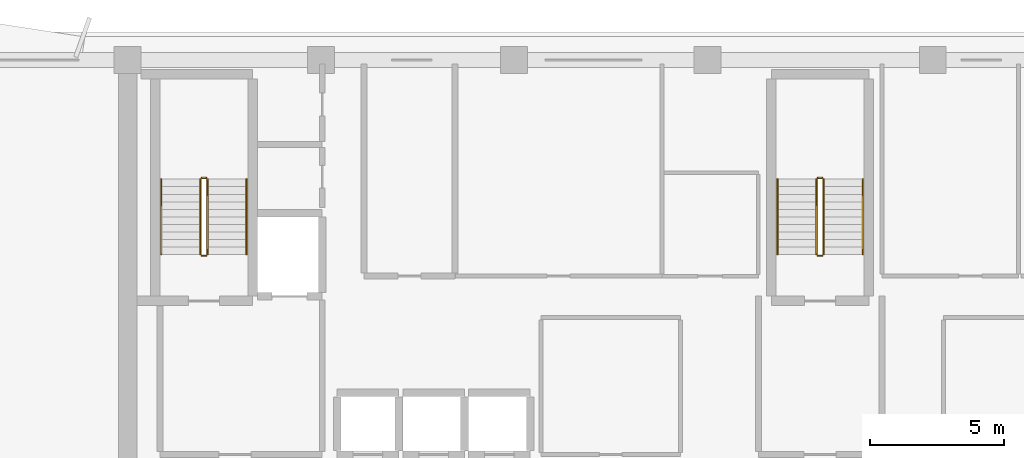
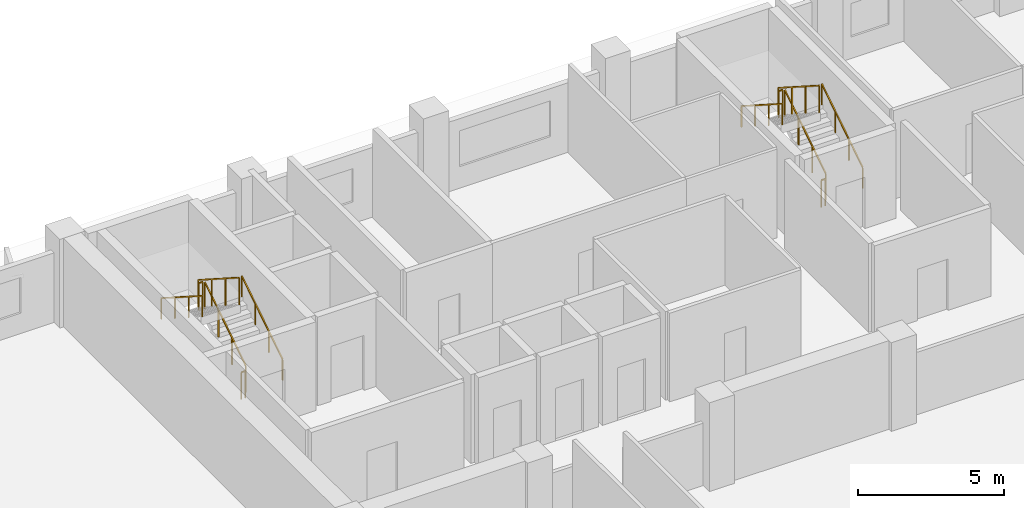
# One storey, part 10 of 11: 12 railings.
"""IFC4 building model written with IfcOpenShell, lengths in metres."""

from ifc_helpers import new_model, si_unit, direction, frame, origin, origin_2d, place, context, subcontext, project, spatial, rectangle, extrude, material, type_object, element, save


model = new_model("IFC4")

# Units and contexts
model_context = context("Model", 3, precision=1e-05, world=origin(), true_north=direction((0.0, 1.0)))
body_context = subcontext(model_context, "Body", "Model", "MODEL_VIEW")
ifc_project = project(units=[si_unit("LENGTHUNIT", "METRE"), si_unit("AREAUNIT", "SQUARE_METRE"), si_unit("VOLUMEUNIT", "CUBIC_METRE"), si_unit("PLANEANGLEUNIT", "RADIAN"), si_unit("MASSUNIT", "GRAM", prefix="KILO")], contexts=[model_context])

# Site, building, storey
site_placement = place(None, origin())
site = spatial("IfcSite", under=ifc_project, at=site_placement, CompositionType="ELEMENT")
building_placement = place(site_placement, origin())
building = spatial("IfcBuilding", under=site, at=building_placement, Name="Kaelvorn Grand Hotel", CompositionType="ELEMENT")
storey_placement = place(building_placement, frame((0.0, 0.0, 233.10009765625)))
storey = spatial("IfcBuildingStorey", under=building, at=storey_placement, Name="L57", CompositionType="ELEMENT", Elevation=233.10009765625)

# Railings
ifc_material = material(Name="Stainless Steel", Category="steel")
railing_type_1 = type_object("IfcRailingType", Name="RL-HANDRAIL-900", PredefinedType="HANDRAIL", material=ifc_material)
railing_1_placement = place(storey_placement, frame((20.6298828125, 41.760009765625, 0.179443359375)))
element("IfcRailing", 1, at=railing_1_placement, inside=storey, type_object=railing_type_1, Name="L57 ST1 stair handrail 1", PredefinedType="HANDRAIL", context=body_context, shape_type="SweptSolid", body=[
    extrude(rectangle(XDim=0.048095703125, YDim=0.048095703125, at=origin_2d()), frame((0.0, 0.0, 0.8759765625), z_axis=(0.0, 0.841809871826, 0.539774156196), x_axis=(-1.0, 0.0, 0.0)), (0.0, 0.0, 1.0), 3.326171875),
    extrude(rectangle(XDim=0.0419921875, YDim=0.0419921875, at=origin_2d()), origin(), (0.0, 0.0, 1.0), 0.851806640625),
    extrude(rectangle(XDim=0.0419921875, YDim=0.0419921875, at=origin_2d()), frame((0.0, 0.933349609375, 0.598388671875)), (0.0, 0.0, 1.0), 0.851806640625),
    extrude(rectangle(XDim=0.0419921875, YDim=0.0419921875, at=origin_2d()), frame((0.0, 1.86669921875, 1.197021484375)), (0.0, 0.0, 1.0), 0.851806640625),
    extrude(rectangle(XDim=0.0419921875, YDim=0.0419921875, at=origin_2d()), frame((0.0, 2.800048828125, 1.79541015625)), (0.0, 0.0, 1.0), 0.851806640625),
])
railing_2_placement = place(storey_placement, frame((17.449951171875, 44.56005859375, 2.154541015625)))
element("IfcRailing", 2, at=railing_2_placement, inside=storey, type_object=railing_type_1, Name="L57 ST1 stair handrail 2", PredefinedType="HANDRAIL", context=body_context, shape_type="SweptSolid", body=[
    extrude(rectangle(XDim=0.048095703125, YDim=0.048095703125, at=origin_2d()), frame((0.0, 0.0, 0.8759765625), z_axis=(0.0, -0.841809871826, 0.539774156196), x_axis=(1.0, 0.0, 0.0)), (0.0, 0.0, 1.0), 3.326171875),
    extrude(rectangle(XDim=0.0419921875, YDim=0.0419921875, at=origin_2d()), origin(), (0.0, 0.0, 1.0), 0.851806640625),
    extrude(rectangle(XDim=0.0419921875, YDim=0.0419921875, at=origin_2d()), frame((0.0, -0.933349609375, 0.598388671875)), (0.0, 0.0, 1.0), 0.851806640625),
    extrude(rectangle(XDim=0.0419921875, YDim=0.0419921875, at=origin_2d()), frame((0.0, -1.86669921875, 1.197021484375)), (0.0, 0.0, 1.0), 0.851806640625),
    extrude(rectangle(XDim=0.0419921875, YDim=0.0419921875, at=origin_2d()), frame((0.0, -2.800048828125, 1.79541015625)), (0.0, 0.0, 1.0), 0.851806640625),
])
railing_3_placement = place(storey_placement, frame((43.590087890625, 41.760009765625, 0.179443359375)))
element("IfcRailing", 3, at=railing_3_placement, inside=storey, type_object=railing_type_1, Name="L57 ST2 stair handrail 1", PredefinedType="HANDRAIL", context=body_context, shape_type="SweptSolid", body=[
    extrude(rectangle(XDim=0.048095703125, YDim=0.048095703125, at=origin_2d()), frame((0.0, 0.0, 0.8759765625), z_axis=(0.0, 0.841809871826, 0.539774156196), x_axis=(-1.0, 0.0, 0.0)), (0.0, 0.0, 1.0), 3.326171875),
    extrude(rectangle(XDim=0.0419921875, YDim=0.0419921875, at=origin_2d()), origin(), (0.0, 0.0, 1.0), 0.851806640625),
    extrude(rectangle(XDim=0.0419921875, YDim=0.0419921875, at=origin_2d()), frame((0.0, 0.933349609375, 0.598388671875)), (0.0, 0.0, 1.0), 0.851806640625),
    extrude(rectangle(XDim=0.0419921875, YDim=0.0419921875, at=origin_2d()), frame((0.0, 1.86669921875, 1.197021484375)), (0.0, 0.0, 1.0), 0.851806640625),
    extrude(rectangle(XDim=0.0419921875, YDim=0.0419921875, at=origin_2d()), frame((0.0, 2.800048828125, 1.79541015625)), (0.0, 0.0, 1.0), 0.851806640625),
])
railing_4_placement = place(storey_placement, frame((40.409912109375, 44.56005859375, 2.154541015625)))
element("IfcRailing", 4, at=railing_4_placement, inside=storey, type_object=railing_type_1, Name="L57 ST2 stair handrail 2", PredefinedType="HANDRAIL", context=body_context, shape_type="SweptSolid", body=[
    extrude(rectangle(XDim=0.048095703125, YDim=0.048095703125, at=origin_2d()), frame((0.0, 0.0, 0.8759765625), z_axis=(0.0, -0.841809871826, 0.539774156196), x_axis=(1.0, 0.0, 0.0)), (0.0, 0.0, 1.0), 3.326171875),
    extrude(rectangle(XDim=0.0419921875, YDim=0.0419921875, at=origin_2d()), origin(), (0.0, 0.0, 1.0), 0.851806640625),
    extrude(rectangle(XDim=0.0419921875, YDim=0.0419921875, at=origin_2d()), frame((0.0, -0.933349609375, 0.598388671875)), (0.0, 0.0, 1.0), 0.851806640625),
    extrude(rectangle(XDim=0.0419921875, YDim=0.0419921875, at=origin_2d()), frame((0.0, -1.86669921875, 1.197021484375)), (0.0, 0.0, 1.0), 0.851806640625),
    extrude(rectangle(XDim=0.0419921875, YDim=0.0419921875, at=origin_2d()), frame((0.0, -2.800048828125, 1.79541015625)), (0.0, 0.0, 1.0), 0.851806640625),
])
railing_type_2 = type_object("IfcRailingType", Name="RL-STAIR-GUARD-1150", PredefinedType="BALUSTRADE", material=ifc_material)
railing_5_placement = place(storey_placement, frame((19.169921875, 41.760009765625, 0.179443359375)))
element("IfcRailing", 5, at=railing_5_placement, inside=storey, type_object=railing_type_2, Name="L57 ST1 stair guard 1", PredefinedType="BALUSTRADE", context=body_context, shape_type="SweptSolid", body=[
    extrude(rectangle(XDim=0.048095703125, YDim=0.048095703125, at=origin_2d()), frame((0.0, 0.0, 1.1259765625), z_axis=(0.0, 0.841809871826, 0.539774156196), x_axis=(-1.0, 0.0, 0.0)), (0.0, 0.0, 1.0), 3.326171875),
    extrude(rectangle(XDim=0.0419921875, YDim=0.0419921875, at=origin_2d()), origin(), (0.0, 0.0, 1.0), 1.101806640625),
    extrude(rectangle(XDim=0.0419921875, YDim=0.0419921875, at=origin_2d()), frame((0.0, 0.933349609375, 0.598388671875)), (0.0, 0.0, 1.0), 1.101806640625),
    extrude(rectangle(XDim=0.0419921875, YDim=0.0419921875, at=origin_2d()), frame((0.0, 1.86669921875, 1.197021484375)), (0.0, 0.0, 1.0), 1.101806640625),
    extrude(rectangle(XDim=0.0419921875, YDim=0.0419921875, at=origin_2d()), frame((0.0, 2.800048828125, 1.79541015625)), (0.0, 0.0, 1.0), 1.101806640625),
])
railing_6_placement = place(storey_placement, frame((19.1201171875, 44.610107421875, 1.974853515625)))
element("IfcRailing", 6, at=railing_6_placement, inside=storey, type_object=railing_type_2, Name="L57 ST1 stair guard 2", PredefinedType="BALUSTRADE", context=body_context, shape_type="SweptSolid", body=[
    extrude(rectangle(XDim=0.048095703125, YDim=0.048095703125, at=origin_2d()), frame((0.0, 0.0, 1.1259765625), z_axis=(-1.0, 0.0, 0.0), x_axis=(0.0, -1.0, 0.0)), (0.0, 0.0, 1.0), 0.16015625),
    extrude(rectangle(XDim=0.0419921875, YDim=0.0419921875, at=origin_2d()), origin(), (0.0, 0.0, 1.0), 1.101806640625),
    extrude(rectangle(XDim=0.0419921875, YDim=0.0419921875, at=origin_2d()), frame((-0.16015625, 0.0, 0.0)), (0.0, 0.0, 1.0), 1.101806640625),
])
railing_7_placement = place(storey_placement, frame((18.909912109375, 44.56005859375, 2.154541015625)))
element("IfcRailing", 7, at=railing_7_placement, inside=storey, type_object=railing_type_2, Name="L57 ST1 stair guard 3", PredefinedType="BALUSTRADE", context=body_context, shape_type="SweptSolid", body=[
    extrude(rectangle(XDim=0.048095703125, YDim=0.048095703125, at=origin_2d()), frame((0.0, 0.0, 1.1259765625), z_axis=(0.0, -0.841809871826, 0.539774156196), x_axis=(1.0, 0.0, 0.0)), (0.0, 0.0, 1.0), 3.326171875),
    extrude(rectangle(XDim=0.0419921875, YDim=0.0419921875, at=origin_2d()), origin(), (0.0, 0.0, 1.0), 1.101806640625),
    extrude(rectangle(XDim=0.0419921875, YDim=0.0419921875, at=origin_2d()), frame((0.0, -0.933349609375, 0.598388671875)), (0.0, 0.0, 1.0), 1.101806640625),
    extrude(rectangle(XDim=0.0419921875, YDim=0.0419921875, at=origin_2d()), frame((0.0, -1.86669921875, 1.197021484375)), (0.0, 0.0, 1.0), 1.101806640625),
    extrude(rectangle(XDim=0.0419921875, YDim=0.0419921875, at=origin_2d()), frame((0.0, -2.800048828125, 1.79541015625)), (0.0, 0.0, 1.0), 1.101806640625),
])
railing_8_placement = place(storey_placement, frame((19.1201171875, 41.7099609375, 0.0)))
element("IfcRailing", 8, at=railing_8_placement, inside=storey, type_object=railing_type_2, Name="L57 ST1 stair guard 4", PredefinedType="BALUSTRADE", context=body_context, shape_type="SweptSolid", body=[
    extrude(rectangle(XDim=0.048095703125, YDim=0.048095703125, at=origin_2d()), frame((0.0, 0.0, 1.1259765625), z_axis=(-1.0, 0.0, 0.0), x_axis=(0.0, -1.0, 0.0)), (0.0, 0.0, 1.0), 0.16015625),
    extrude(rectangle(XDim=0.0419921875, YDim=0.0419921875, at=origin_2d()), origin(), (0.0, 0.0, 1.0), 1.101806640625),
    extrude(rectangle(XDim=0.0419921875, YDim=0.0419921875, at=origin_2d()), frame((-0.16015625, 0.0, 0.0)), (0.0, 0.0, 1.0), 1.101806640625),
])
railing_9_placement = place(storey_placement, frame((42.1298828125, 41.760009765625, 0.179443359375)))
element("IfcRailing", 9, at=railing_9_placement, inside=storey, type_object=railing_type_2, Name="L57 ST2 stair guard 1", PredefinedType="BALUSTRADE", context=body_context, shape_type="SweptSolid", body=[
    extrude(rectangle(XDim=0.048095703125, YDim=0.048095703125, at=origin_2d()), frame((0.0, 0.0, 1.1259765625), z_axis=(0.0, 0.841809871826, 0.539774156196), x_axis=(-1.0, 0.0, 0.0)), (0.0, 0.0, 1.0), 3.326171875),
    extrude(rectangle(XDim=0.0419921875, YDim=0.0419921875, at=origin_2d()), origin(), (0.0, 0.0, 1.0), 1.101806640625),
    extrude(rectangle(XDim=0.0419921875, YDim=0.0419921875, at=origin_2d()), frame((0.0, 0.933349609375, 0.598388671875)), (0.0, 0.0, 1.0), 1.101806640625),
    extrude(rectangle(XDim=0.0419921875, YDim=0.0419921875, at=origin_2d()), frame((0.0, 1.86669921875, 1.197021484375)), (0.0, 0.0, 1.0), 1.101806640625),
    extrude(rectangle(XDim=0.0419921875, YDim=0.0419921875, at=origin_2d()), frame((0.0, 2.800048828125, 1.79541015625)), (0.0, 0.0, 1.0), 1.101806640625),
])
railing_10_placement = place(storey_placement, frame((42.080078125, 44.610107421875, 1.974853515625)))
element("IfcRailing", 10, at=railing_10_placement, inside=storey, type_object=railing_type_2, Name="L57 ST2 stair guard 2", PredefinedType="BALUSTRADE", context=body_context, shape_type="SweptSolid", body=[
    extrude(rectangle(XDim=0.048095703125, YDim=0.048095703125, at=origin_2d()), frame((0.0, 0.0, 1.1259765625), z_axis=(-1.0, 0.0, 0.0), x_axis=(0.0, -1.0, 0.0)), (0.0, 0.0, 1.0), 0.16015625),
    extrude(rectangle(XDim=0.0419921875, YDim=0.0419921875, at=origin_2d()), origin(), (0.0, 0.0, 1.0), 1.101806640625),
    extrude(rectangle(XDim=0.0419921875, YDim=0.0419921875, at=origin_2d()), frame((-0.16015625, 0.0, 0.0)), (0.0, 0.0, 1.0), 1.101806640625),
])
railing_11_placement = place(storey_placement, frame((41.8701171875, 44.56005859375, 2.154541015625)))
element("IfcRailing", 11, at=railing_11_placement, inside=storey, type_object=railing_type_2, Name="L57 ST2 stair guard 3", PredefinedType="BALUSTRADE", context=body_context, shape_type="SweptSolid", body=[
    extrude(rectangle(XDim=0.048095703125, YDim=0.048095703125, at=origin_2d()), frame((0.0, 0.0, 1.1259765625), z_axis=(0.0, -0.841809871826, 0.539774156196), x_axis=(1.0, 0.0, 0.0)), (0.0, 0.0, 1.0), 3.326171875),
    extrude(rectangle(XDim=0.0419921875, YDim=0.0419921875, at=origin_2d()), origin(), (0.0, 0.0, 1.0), 1.101806640625),
    extrude(rectangle(XDim=0.0419921875, YDim=0.0419921875, at=origin_2d()), frame((0.0, -0.933349609375, 0.598388671875)), (0.0, 0.0, 1.0), 1.101806640625),
    extrude(rectangle(XDim=0.0419921875, YDim=0.0419921875, at=origin_2d()), frame((0.0, -1.86669921875, 1.197021484375)), (0.0, 0.0, 1.0), 1.101806640625),
    extrude(rectangle(XDim=0.0419921875, YDim=0.0419921875, at=origin_2d()), frame((0.0, -2.800048828125, 1.79541015625)), (0.0, 0.0, 1.0), 1.101806640625),
])
railing_12_placement = place(storey_placement, frame((42.080078125, 41.7099609375, 0.0)))
element("IfcRailing", 12, at=railing_12_placement, inside=storey, type_object=railing_type_2, Name="L57 ST2 stair guard 4", PredefinedType="BALUSTRADE", context=body_context, shape_type="SweptSolid", body=[
    extrude(rectangle(XDim=0.048095703125, YDim=0.048095703125, at=origin_2d()), frame((0.0, 0.0, 1.1259765625), z_axis=(-1.0, 0.0, 0.0), x_axis=(0.0, -1.0, 0.0)), (0.0, 0.0, 1.0), 0.16015625),
    extrude(rectangle(XDim=0.0419921875, YDim=0.0419921875, at=origin_2d()), origin(), (0.0, 0.0, 1.0), 1.101806640625),
    extrude(rectangle(XDim=0.0419921875, YDim=0.0419921875, at=origin_2d()), frame((-0.16015625, 0.0, 0.0)), (0.0, 0.0, 1.0), 1.101806640625),
])

save(model, "model.ifc")
